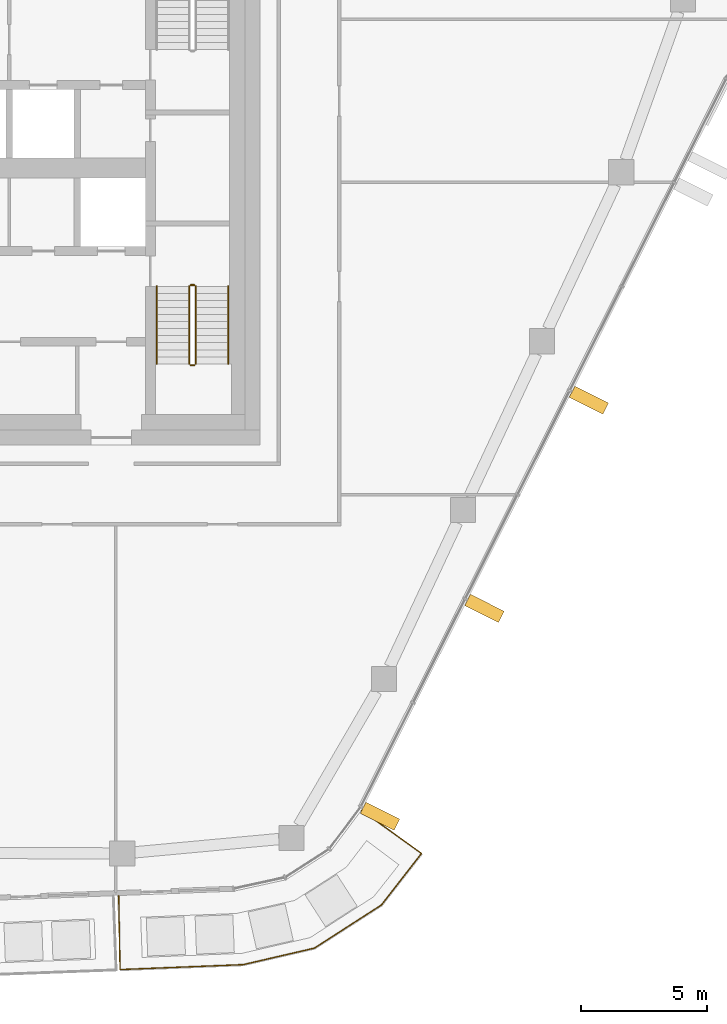
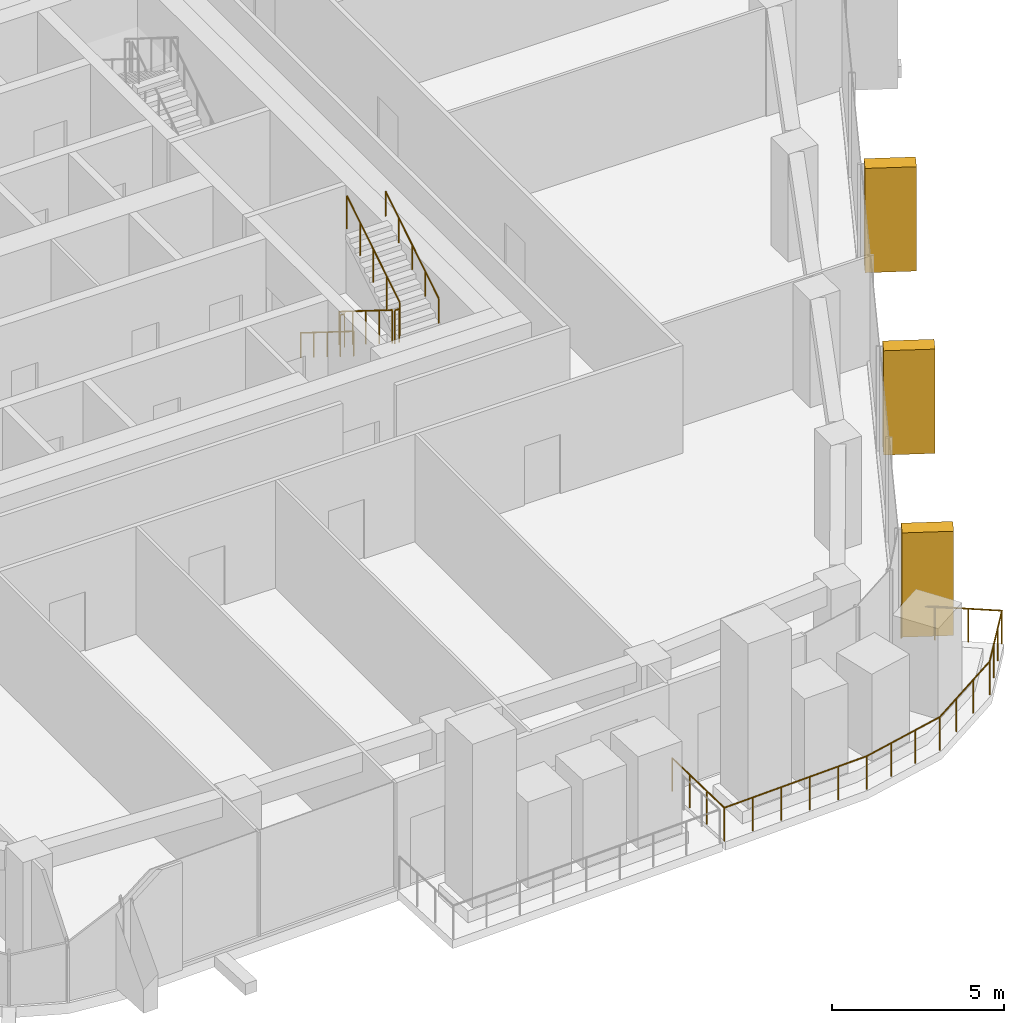
# One storey, part 20 of 23: 7 railings, 3 coverings, 1 element without a shape of its own.
"""IFC4 building model written with IfcOpenShell, lengths in metres."""

from ifc_helpers import new_model, si_unit, direction, frame, origin, origin_2d, place, context, subcontext, project, spatial, rectangle, circle, extrude, material, layer, layer_set, material_profile, profile_set, type_object, element, aggregate, save


model = new_model("IFC4")

# Units and contexts
model_context = context("Model", 3, precision=1e-05, world=origin(), true_north=direction((0.0, 1.0)))
body_context = subcontext(model_context, "Body", "Model", "MODEL_VIEW")
ifc_project = project(units=[si_unit("LENGTHUNIT", "METRE"), si_unit("AREAUNIT", "SQUARE_METRE"), si_unit("VOLUMEUNIT", "CUBIC_METRE"), si_unit("PLANEANGLEUNIT", "RADIAN"), si_unit("MASSUNIT", "GRAM", prefix="KILO")], contexts=[model_context])

# Site, building, storey
site_placement = place(None, origin())
site = spatial("IfcSite", under=ifc_project, at=site_placement, CompositionType="ELEMENT")
building_placement = place(site_placement, origin())
building = spatial("IfcBuilding", under=site, at=building_placement, Name="Dongbaek Canopy Tower", CompositionType="ELEMENT")
storey_placement = place(building_placement, frame((0.0, 0.0, 315.199951171875)))
storey = spatial("IfcBuildingStorey", under=building, at=storey_placement, Name="L67", CompositionType="ELEMENT", Elevation=315.199951171875)

# Railing
ifc_material_1 = material(Name="Stainless steel", Category="steel")
railing_type_1 = type_object("IfcRailingType", Name="Balcony balustrade 1200", PredefinedType="BALUSTRADE", material=ifc_material_1)
railing_1_placement = place(storey_placement, frame((8.393310546875, -28.89794921875, 0.0)))
element("IfcRailing", 1, at=railing_1_placement, inside=storey, type_object=railing_type_1, Name="Balcony guard L67 7", PredefinedType="BALUSTRADE", context=body_context, shape_type="SweptSolid", body=[
    extrude(circle(Radius=0.02392578125, at=origin_2d()), frame((0.0, 0.0, 1.17578125), z_axis=(0.017351866977, -0.999849445023, 0.0), x_axis=(0.999849445023, 0.017351866977, 0.0)), (0.0, 0.0, 1.0), 2.940673828125),
    extrude(circle(Radius=0.02392578125, at=origin_2d()), frame((0.051025390625, -2.940185546875, 1.17578125), z_axis=(0.999197288662, 0.040059684597, 0.0), x_axis=(-0.040059684597, 0.999197288662, 0.0)), (0.0, 0.0, 1.0), 4.893798828125),
    extrude(circle(Radius=0.02392578125, at=origin_2d()), frame((4.94091796875, -2.744140625, 1.17578125), z_axis=(0.974196885176, 0.225699864672, 0.0), x_axis=(-0.225699864672, 0.974196885176, 0.0)), (0.0, 0.0, 1.0), 2.906494140625),
    extrude(circle(Radius=0.02392578125, at=origin_2d()), frame((7.7724609375, -2.088134765625, 1.17578125), z_axis=(0.840992986953, 0.541046020128, 0.0), x_axis=(-0.541046020128, 0.840992986953, 0.0)), (0.0, 0.0, 1.0), 3.16552734375),
    extrude(circle(Radius=0.02392578125, at=origin_2d()), frame((10.4345703125, -0.37548828125, 1.17578125), z_axis=(0.6139341016, 0.789357282156, 0.0), x_axis=(-0.789357282156, 0.6139341016, 0.0)), (0.0, 0.0, 1.0), 2.595458984375),
    extrude(circle(Radius=0.02392578125, at=origin_2d()), frame((12.028076171875, 1.67333984375, 1.17578125), z_axis=(-0.812272292102, 0.583278427069, 0.0), x_axis=(-0.583278427069, -0.812272292102, 0.0)), (0.0, 0.0, 1.0), 2.9404296875),
    extrude(circle(Radius=0.02099609375, at=origin_2d()), origin(), (0.0, 0.0, 1.0), 1.15185546875),
    extrude(circle(Radius=0.02099609375, at=origin_2d()), frame((0.01708984375, -0.97998046875, 0.0)), (0.0, 0.0, 1.0), 1.15185546875),
    extrude(circle(Radius=0.02099609375, at=origin_2d()), frame((0.033935546875, -1.960205078125, 0.0)), (0.0, 0.0, 1.0), 1.15185546875),
    extrude(circle(Radius=0.02099609375, at=origin_2d()), frame((0.051025390625, -2.940185546875, 0.0)), (0.0, 0.0, 1.0), 1.15185546875),
    extrude(circle(Radius=0.02099609375, at=origin_2d()), frame((1.029052734375, -2.90087890625, 0.0)), (0.0, 0.0, 1.0), 1.15185546875),
    extrude(circle(Radius=0.02099609375, at=origin_2d()), frame((2.007080078125, -2.86181640625, 0.0)), (0.0, 0.0, 1.0), 1.15185546875),
    extrude(circle(Radius=0.02099609375, at=origin_2d()), frame((2.98486328125, -2.822509765625, 0.0)), (0.0, 0.0, 1.0), 1.15185546875),
    extrude(circle(Radius=0.02099609375, at=origin_2d()), frame((3.962890625, -2.783447265625, 0.0)), (0.0, 0.0, 1.0), 1.15185546875),
    extrude(circle(Radius=0.02099609375, at=origin_2d()), frame((4.94091796875, -2.744140625, 0.0)), (0.0, 0.0, 1.0), 1.15185546875),
    extrude(circle(Radius=0.02099609375, at=origin_2d()), frame((5.884765625, -2.525390625, 0.0)), (0.0, 0.0, 1.0), 1.15185546875),
    extrude(circle(Radius=0.02099609375, at=origin_2d()), frame((6.82861328125, -2.306884765625, 0.0)), (0.0, 0.0, 1.0), 1.15185546875),
    extrude(circle(Radius=0.02099609375, at=origin_2d()), frame((7.7724609375, -2.088134765625, 0.0)), (0.0, 0.0, 1.0), 1.15185546875),
    extrude(circle(Radius=0.02099609375, at=origin_2d()), frame((8.659912109375, -1.517333984375, 0.0)), (0.0, 0.0, 1.0), 1.15185546875),
    extrude(circle(Radius=0.02099609375, at=origin_2d()), frame((9.547119140625, -0.9462890625, 0.0)), (0.0, 0.0, 1.0), 1.15185546875),
    extrude(circle(Radius=0.02099609375, at=origin_2d()), frame((10.4345703125, -0.37548828125, 0.0)), (0.0, 0.0, 1.0), 1.15185546875),
    extrude(circle(Radius=0.02099609375, at=origin_2d()), frame((10.9658203125, 0.307373046875, 0.0)), (0.0, 0.0, 1.0), 1.15185546875),
    extrude(circle(Radius=0.02099609375, at=origin_2d()), frame((11.496826171875, 0.990478515625, 0.0)), (0.0, 0.0, 1.0), 1.15185546875),
    extrude(circle(Radius=0.02099609375, at=origin_2d()), frame((12.028076171875, 1.67333984375, 0.0)), (0.0, 0.0, 1.0), 1.15185546875),
    extrude(circle(Radius=0.02099609375, at=origin_2d()), frame((11.23193359375, 2.2451171875, 0.0)), (0.0, 0.0, 1.0), 1.15185546875),
    extrude(circle(Radius=0.02099609375, at=origin_2d()), frame((10.435791015625, 2.816650390625, 0.0)), (0.0, 0.0, 1.0), 1.15185546875),
    extrude(circle(Radius=0.02099609375, at=origin_2d()), frame((9.6396484375, 3.388427734375, 0.0)), (0.0, 0.0, 1.0), 1.15185546875),
])

# Curtain wall, coverings
ifc_material_2 = material(Name="Aluminium 6063-T6 pale anodised", Category="aluminium")
ifc_layer = layer(ifc_material_2, 0.199951171875)
ifc_layer_set = layer_set([ifc_layer], Name="CW-1 unitised tower curtain wall")
curtain_wall_type = type_object("IfcCurtainWallType", Name="CW-1 unitised tower curtain wall", PredefinedType="NOTDEFINED", material=ifc_layer_set)
curtain_wall_placement = place(storey_placement, origin())
curtain_wall = element("IfcCurtainWall", 2, at=curtain_wall_placement, inside=storey, type_object=curtain_wall_type, Name="CW-1 curtain wall F5.1", PredefinedType="NOTDEFINED")
ifc_material_3 = material(Name="Aluminium 6063-T6 pale metal fin", Category="aluminium")
ifc_material_profile = material_profile(ifc_material_3, rectangle(XDim=1.5, YDim=0.5, at=origin_2d()), Name="Fin FN1 500 x 1500 pale metal")
ifc_profile_set = profile_set([ifc_material_profile], Name="Aluminium 6063-T6 pale metal fin")
covering_type = type_object("IfcCoveringType", Name="Fin FN1 500 x 1500 pale metal", PredefinedType="CLADDING", material=ifc_profile_set)
covering_1_placement = place(storey_placement, frame((18.773193359375, -25.75, 0.1201171875), z_axis=(0.0, 0.0, 1.0), x_axis=(0.893733414129, -0.448598466859, 0.0)))
covering_1 = element("IfcCovering", 3, at=covering_1_placement, type_object=covering_type, Name="Fin F5.1.1", PredefinedType="CLADDING", context=body_context, shape_type="SweptSolid", body=[
    extrude(rectangle(XDim=1.5, YDim=0.5, at=origin_2d()), origin(), (0.0, 0.0, 1.0), 3.699951171875),
])
covering_2_placement = place(storey_placement, frame((22.9189453125, -17.490234375, 0.1201171875), z_axis=(0.0, 0.0, 1.0), x_axis=(0.893733414129, -0.448598466859, 0.0)))
covering_2 = element("IfcCovering", 4, at=covering_2_placement, type_object=covering_type, Name="Fin F5.1.3", PredefinedType="CLADDING", context=body_context, shape_type="SweptSolid", body=[
    extrude(rectangle(XDim=1.5, YDim=0.5, at=origin_2d()), origin(), (0.0, 0.0, 1.0), 3.699951171875),
])
covering_3_placement = place(storey_placement, frame((27.06884765625, -9.222412109375, 0.1201171875), z_axis=(0.0, 0.0, 1.0), x_axis=(0.893733414129, -0.448598466859, 0.0)))
covering_3 = element("IfcCovering", 5, at=covering_3_placement, type_object=covering_type, Name="Fin F5.1.5", PredefinedType="CLADDING", context=body_context, shape_type="SweptSolid", body=[
    extrude(rectangle(XDim=1.5, YDim=0.5, at=origin_2d()), origin(), (0.0, 0.0, 1.0), 3.699951171875),
])
aggregate(curtain_wall, [covering_1, covering_2, covering_3])

# Railings
ifc_material_4 = material(Name="Stainless steel tube and balusters", Category="steel")
railing_type_2 = type_object("IfcRailingType", Name="Stair guard 1200", PredefinedType="GUARDRAIL", material=ifc_material_4)
railing_2_placement = place(storey_placement, frame((11.199951171875, -4.699951171875, 0.175048828125)))
element("IfcRailing", 6, at=railing_2_placement, inside=storey, type_object=railing_type_2, Name="L67 ST-B stair guard 1", PredefinedType="GUARDRAIL", context=body_context, shape_type="SweptSolid", body=[
    extrude(circle(Radius=0.02392578125, at=origin_2d()), frame((0.0, 0.0, 1.17578125), z_axis=(0.0, -0.847998304005, 0.529998940003), x_axis=(1.0, 0.0, 0.0)), (0.0, 0.0, 1.0), 3.632080078125),
    extrude(circle(Radius=0.02099609375, at=origin_2d()), origin(), (0.0, 0.0, 1.0), 1.15185546875),
    extrude(circle(Radius=0.02099609375, at=origin_2d()), frame((0.0, -0.77001953125, 0.481201171875)), (0.0, 0.0, 1.0), 1.15185546875),
    extrude(circle(Radius=0.02099609375, at=origin_2d()), frame((0.0, -1.5400390625, 0.96240234375)), (0.0, 0.0, 1.0), 1.15185546875),
    extrude(circle(Radius=0.02099609375, at=origin_2d()), frame((0.0, -2.31005859375, 1.44384765625)), (0.0, 0.0, 1.0), 1.15185546875),
    extrude(circle(Radius=0.02099609375, at=origin_2d()), frame((0.0, -3.080078125, 1.925048828125)), (0.0, 0.0, 1.0), 1.15185546875),
])
railing_3_placement = place(storey_placement, frame((11.25, -7.830078125, 2.10009765625)))
element("IfcRailing", 7, at=railing_3_placement, inside=storey, type_object=railing_type_2, Name="L67 ST-B stair guard 2", PredefinedType="GUARDRAIL", context=body_context, shape_type="SweptSolid", body=[
    extrude(circle(Radius=0.02392578125, at=origin_2d()), frame((0.0, 0.0, 1.17578125), z_axis=(1.0, 0.0, 0.0), x_axis=(0.0, 1.0, 0.0)), (0.0, 0.0, 1.0), 0.14990234375),
    extrude(circle(Radius=0.02099609375, at=origin_2d()), origin(), (0.0, 0.0, 1.0), 1.15185546875),
    extrude(circle(Radius=0.02099609375, at=origin_2d()), frame((0.14990234375, 0.0, 0.0)), (0.0, 0.0, 1.0), 1.15185546875),
])
railing_4_placement = place(storey_placement, frame((11.449951171875, -7.780029296875, 2.275146484375)))
element("IfcRailing", 8, at=railing_4_placement, inside=storey, type_object=railing_type_2, Name="L67 ST-B stair guard 3", PredefinedType="GUARDRAIL", context=body_context, shape_type="SweptSolid", body=[
    extrude(circle(Radius=0.02392578125, at=origin_2d()), frame((0.0, 0.0, 1.17578125), z_axis=(0.0, 0.848028513186, 0.529950602248), x_axis=(-1.0, 0.0, 0.0)), (0.0, 0.0, 1.0), 3.632080078125),
    extrude(circle(Radius=0.02099609375, at=origin_2d()), origin(), (0.0, 0.0, 1.0), 1.15185546875),
    extrude(circle(Radius=0.02099609375, at=origin_2d()), frame((0.0, 0.77001953125, 0.481201171875)), (0.0, 0.0, 1.0), 1.15185546875),
    extrude(circle(Radius=0.02099609375, at=origin_2d()), frame((0.0, 1.5400390625, 0.96240234375)), (0.0, 0.0, 1.0), 1.15185546875),
    extrude(circle(Radius=0.02099609375, at=origin_2d()), frame((0.0, 2.31005859375, 1.443603515625)), (0.0, 0.0, 1.0), 1.15185546875),
    extrude(circle(Radius=0.02099609375, at=origin_2d()), frame((0.0, 3.080078125, 1.9248046875)), (0.0, 0.0, 1.0), 1.15185546875),
])
railing_5_placement = place(storey_placement, frame((11.25, -4.64990234375, 0.0)))
element("IfcRailing", 9, at=railing_5_placement, inside=storey, type_object=railing_type_2, Name="L67 ST-B stair guard 4", PredefinedType="GUARDRAIL", context=body_context, shape_type="SweptSolid", body=[
    extrude(circle(Radius=0.02392578125, at=origin_2d()), frame((0.0, 0.0, 1.17578125), z_axis=(1.0, 0.0, 0.0), x_axis=(0.0, 1.0, 0.0)), (0.0, 0.0, 1.0), 0.14990234375),
    extrude(circle(Radius=0.02099609375, at=origin_2d()), origin(), (0.0, 0.0, 1.0), 1.15185546875),
    extrude(circle(Radius=0.02099609375, at=origin_2d()), frame((0.14990234375, 0.0, 0.0)), (0.0, 0.0, 1.0), 1.15185546875),
])
ifc_material_5 = material(Name="Stainless steel tube", Category="steel")
railing_type_3 = type_object("IfcRailingType", Name="Stair handrail 900", PredefinedType="HANDRAIL", material=ifc_material_5)
railing_6_placement = place(storey_placement, frame((9.89990234375, -4.699951171875, 0.175048828125)))
element("IfcRailing", 10, at=railing_6_placement, inside=storey, type_object=railing_type_3, Name="L67 ST-B stair handrail 1", PredefinedType="HANDRAIL", context=body_context, shape_type="SweptSolid", body=[
    extrude(circle(Radius=0.02392578125, at=origin_2d()), frame((0.0, 0.0, 0.8759765625), z_axis=(0.0, -0.847998304005, 0.529998940003), x_axis=(1.0, 0.0, 0.0)), (0.0, 0.0, 1.0), 3.632080078125),
    extrude(circle(Radius=0.02099609375, at=origin_2d()), origin(), (0.0, 0.0, 1.0), 0.851806640625),
    extrude(circle(Radius=0.02099609375, at=origin_2d()), frame((0.0, -0.77001953125, 0.481201171875)), (0.0, 0.0, 1.0), 0.851806640625),
    extrude(circle(Radius=0.02099609375, at=origin_2d()), frame((0.0, -1.5400390625, 0.96240234375)), (0.0, 0.0, 1.0), 0.851806640625),
    extrude(circle(Radius=0.02099609375, at=origin_2d()), frame((0.0, -2.31005859375, 1.44384765625)), (0.0, 0.0, 1.0), 0.851806640625),
    extrude(circle(Radius=0.02099609375, at=origin_2d()), frame((0.0, -3.080078125, 1.925048828125)), (0.0, 0.0, 1.0), 0.851806640625),
])
railing_7_placement = place(storey_placement, frame((12.75, -7.780029296875, 2.275146484375)))
element("IfcRailing", 11, at=railing_7_placement, inside=storey, type_object=railing_type_3, Name="L67 ST-B stair handrail 2", PredefinedType="HANDRAIL", context=body_context, shape_type="SweptSolid", body=[
    extrude(circle(Radius=0.02392578125, at=origin_2d()), frame((0.0, 0.0, 0.8759765625), z_axis=(0.0, 0.848028513186, 0.529950602248), x_axis=(-1.0, 0.0, 0.0)), (0.0, 0.0, 1.0), 3.632080078125),
    extrude(circle(Radius=0.02099609375, at=origin_2d()), origin(), (0.0, 0.0, 1.0), 0.851806640625),
    extrude(circle(Radius=0.02099609375, at=origin_2d()), frame((0.0, 0.77001953125, 0.481201171875)), (0.0, 0.0, 1.0), 0.851806640625),
    extrude(circle(Radius=0.02099609375, at=origin_2d()), frame((0.0, 1.5400390625, 0.96240234375)), (0.0, 0.0, 1.0), 0.851806640625),
    extrude(circle(Radius=0.02099609375, at=origin_2d()), frame((0.0, 2.31005859375, 1.443603515625)), (0.0, 0.0, 1.0), 0.851806640625),
    extrude(circle(Radius=0.02099609375, at=origin_2d()), frame((0.0, 3.080078125, 1.9248046875)), (0.0, 0.0, 1.0), 0.851806640625),
])

save(model, "model.ifc")
